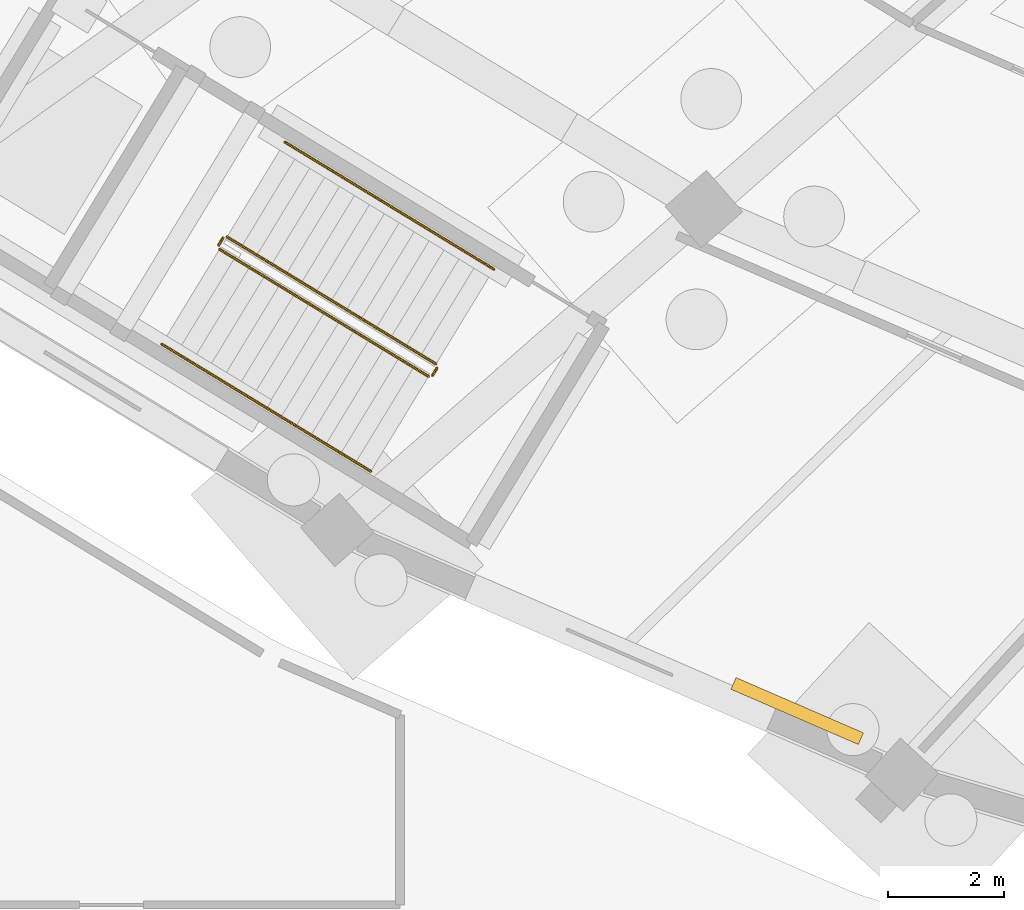
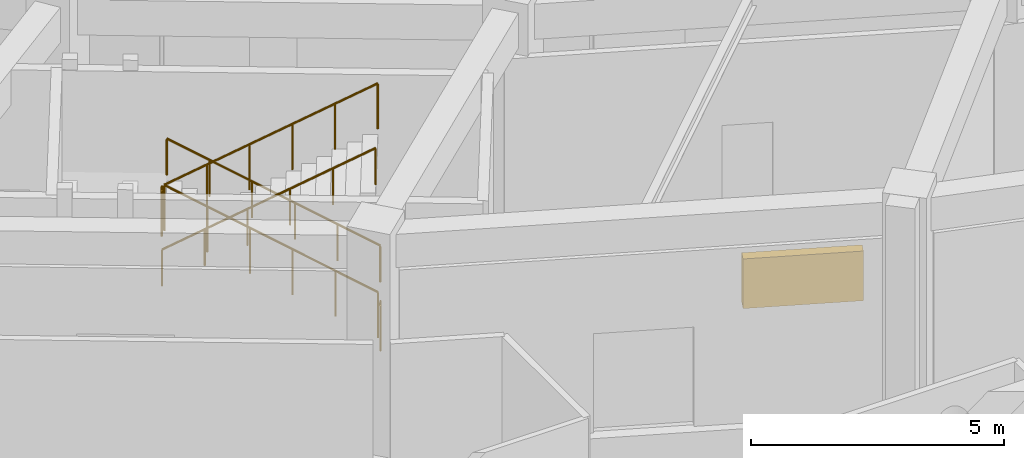
# One storey, part 68 of 88: 6 railings, 1 shading device.
"""IFC4 building model written with IfcOpenShell, lengths in metres."""

import ifcopenshell
import ifcopenshell.guid

model = None  # the IFC model being written
_history = None  # IfcOwnerHistory: only IFC2X3 demands one
_inside = {}  # id of a spatial element -> (the spatial element, [elements in it])
_under = {}  # id of a project, library or spatial element -> (it, [spatial elements below it])
_declared = {}  # id of a project -> (the project, [libraries it declares])
_typed = {}  # id of a type object -> (the type object, [elements of that type])
_made_of = {}  # id of a material, layer set ... -> (it, [elements and type objects made of it])


def new_model(schema):
    """Start an empty IFC model of exactly this schema.

    Asked for "IFC4X3", IfcOpenShell would pick the latest addendum, in which some entities
    have other attributes; the version numbers below select the first issue.
    IFC2X3 requires an IfcOwnerHistory on every rooted entity: one is made here for all.
    """
    global model, _history
    if schema == "IFC4X3":
        model = ifcopenshell.file(schema_version=(4, 3, 0, 0))
    else:
        model = ifcopenshell.file(schema=schema)
    _inside.clear()
    _under.clear()
    _declared.clear()
    _typed.clear()
    _made_of.clear()
    _history = None
    if model.schema == "IFC2X3":
        org = make("IfcOrganization", Name="unknown")
        user = make(
            "IfcPersonAndOrganization",
            ThePerson=make("IfcPerson", FamilyName="unknown"),
            TheOrganization=org,
        )
        app = make(
            "IfcApplication",
            ApplicationDeveloper=org,
            Version="unknown",
            ApplicationFullName="unknown",
            ApplicationIdentifier="unknown",
        )
        _history = make(
            "IfcOwnerHistory",
            OwningUser=user,
            OwningApplication=app,
            ChangeAction="ADDED",
            CreationDate=0,
        )
    return model


def make(cls, **values):
    """One entity of the class cls with the attributes given. An attribute that is None is left unset."""
    return model.create_entity(
        cls, **{name: value for name, value in values.items() if value is not None}
    )


def rooted(cls, **values):
    """An entity with a GlobalId (a new one), such as an element, a storey or a relation."""
    return make(cls, GlobalId=ifcopenshell.guid.new(), OwnerHistory=_history, **values)


def si_unit(unit_type, name, prefix=None):
    """IfcSIUnit, for example si_unit("LENGTHUNIT", "METRE", prefix="MILLI")."""
    return make("IfcSIUnit", UnitType=unit_type, Prefix=prefix, Name=name)


def assignment(units):
    """IfcUnitAssignment: the units of a project."""
    return None if units is None else make("IfcUnitAssignment", Units=units)


def point(xyz):
    """IfcCartesianPoint."""
    return None if xyz is None else make("IfcCartesianPoint", Coordinates=xyz)


def direction(xyz):
    """IfcDirection."""
    return None if xyz is None else make("IfcDirection", DirectionRatios=xyz)


def frame(location, z_axis=None, x_axis=None):
    """IfcAxis2Placement3D, a coordinate frame: its origin and axes. An axis left out is left unset."""
    return make(
        "IfcAxis2Placement3D",
        Location=point(location),
        Axis=direction(z_axis),
        RefDirection=direction(x_axis),
    )


def frame_2d(location, x_axis=None):
    """IfcAxis2Placement2D, a coordinate frame in the plane: its origin and x axis."""
    return make(
        "IfcAxis2Placement2D", Location=point(location), RefDirection=direction(x_axis)
    )


def origin():
    """The frame at (0, 0, 0) with its axes left unset."""
    return frame((0.0, 0.0, 0.0))


def origin_2d():
    """The frame at (0, 0) in the plane with its x axis left unset."""
    return frame_2d((0.0, 0.0))


def place(relative_to, where):
    """IfcLocalPlacement: puts the frame where relative to a parent placement (None: the world)."""
    return make(
        "IfcLocalPlacement", PlacementRelTo=relative_to, RelativePlacement=where
    )


def context(
    kind, dimensions, precision=None, world=None, true_north=None, identifier=None
):
    """IfcGeometricRepresentationContext, for example the 3D "Model" context."""
    return make(
        "IfcGeometricRepresentationContext",
        ContextIdentifier=identifier,
        ContextType=kind,
        CoordinateSpaceDimension=dimensions,
        Precision=precision,
        WorldCoordinateSystem=world,
        TrueNorth=true_north,
    )


def subcontext(parent, identifier, kind, view, scale=None):
    """IfcGeometricRepresentationSubContext, for example "Body" below "Model"."""
    return make(
        "IfcGeometricRepresentationSubContext",
        ContextIdentifier=identifier,
        ContextType=kind,
        ParentContext=parent,
        TargetScale=scale,
        TargetView=view,
    )


def project(units=None, contexts=None):
    """IfcProject with its units and contexts."""
    return rooted(
        "IfcProject",
        Name="project",
        RepresentationContexts=contexts,
        UnitsInContext=assignment(units),
    )


def spatial(cls, under=None, at=None, **own):
    """A site, building, storey or space (cls), placed at a placement, below another one or the project."""
    s = rooted(cls, ObjectPlacement=at, **own)
    if under is not None:
        _under.setdefault(under.id(), (under, []))[1].append(s)
    return s


def profile(cls, at=None, kind="AREA", **sizes):
    """A parametric profile (cls). Its sizes go by their IFC names, for example OverallWidth=200.0."""
    return make(cls, ProfileType=kind, Position=at, **sizes)


def rectangle(**sizes):
    """IfcRectangleProfileDef."""
    return profile("IfcRectangleProfileDef", **sizes)


def circle(**sizes):
    """IfcCircleProfileDef."""
    return profile("IfcCircleProfileDef", **sizes)


def extrude(swept, where, along, depth):
    """IfcExtrudedAreaSolid: the profile swept, set in the frame where, extruded along a direction by depth."""
    return make(
        "IfcExtrudedAreaSolid",
        SweptArea=swept,
        Position=where,
        ExtrudedDirection=direction(along),
        Depth=depth,
    )


def shape(context_of_items, identifier, shape_type, items):
    """IfcShapeRepresentation: the items that make up one representation, for example the "Body"."""
    return make(
        "IfcShapeRepresentation",
        ContextOfItems=context_of_items,
        RepresentationIdentifier=identifier,
        RepresentationType=shape_type,
        Items=items,
    )


def material(Name=None, Category=None):
    """IfcMaterial."""
    return make("IfcMaterial", Name=Name, Category=Category)


def made_of(thing, what):
    """Note that an element or type object is made of a material, layer set ...; save() writes the relation."""
    if what is not None:
        _made_of.setdefault(what.id(), (what, []))[1].append(thing)
    return thing


def type_object(cls, material=None, **own):
    """A type object (cls), such as IfcWallType, which elements share."""
    return made_of(rooted(cls, **own), material)


def element(
    cls,
    number,
    at=None,
    inside=None,
    cuts=None,
    type_object=None,
    material=None,
    context=None,
    identifier="Body",
    shape_type=None,
    held_by="IfcProductDefinitionShape",
    body=None,
    shapes=None,
    **own,
):
    """One element of the class cls, such as IfcWall. Its Tag is "e" and its number.

    at: its placement. inside: the storey or other place that contains it. cuts: it is an
    opening in that element (IfcRelVoidsElement). A single representation is given by context,
    identifier, shape_type and body (its items); several are given by shapes. held_by: the class
    of the entity that holds the representations. save() writes the other relations.
    """
    e = rooted(cls, Tag="e%d" % number, ObjectPlacement=at, **own)
    if body is not None:
        shapes = [shape(context, identifier, shape_type, body)]
    if shapes is not None:
        e.Representation = make(held_by, Representations=shapes)
    if inside is not None:
        _inside.setdefault(inside.id(), (inside, []))[1].append(e)
    if cuts is not None:
        rooted(
            "IfcRelVoidsElement", RelatingBuildingElement=cuts, RelatedOpeningElement=e
        )
    if type_object is not None:
        _typed.setdefault(type_object.id(), (type_object, []))[1].append(e)
    return made_of(e, material)


def aggregate(whole, parts):
    """IfcRelAggregates: a whole, such as a stair, and the parts it consists of."""
    return rooted("IfcRelAggregates", RelatingObject=whole, RelatedObjects=parts)


def save(model, path):
    """Write the relations noted so far, then the file.

    IfcRelAggregates (storeys below a building ...), IfcRelContainedInSpatialStructure (elements
    in a storey), IfcRelDefinesByType, IfcRelAssociatesMaterial and IfcRelDeclares: one each for
    every whole, place, type object, material and project.
    """
    for whole, parts in _under.values():
        aggregate(whole, parts)
    for where, things in _inside.values():
        rooted(
            "IfcRelContainedInSpatialStructure",
            RelatedElements=things,
            RelatingStructure=where,
        )
    for kind, things in _typed.values():
        rooted("IfcRelDefinesByType", RelatedObjects=things, RelatingType=kind)
    for what, things in _made_of.values():
        rooted("IfcRelAssociatesMaterial", RelatedObjects=things, RelatingMaterial=what)
    for by, libraries in _declared.values():
        rooted("IfcRelDeclares", RelatingContext=by, RelatedDefinitions=libraries)
    model.write(path)


model = new_model("IFC4")

# Units and contexts
model_context = context("Model", 3, precision=1e-05, world=origin(), true_north=direction((0.0, 1.0)))
body_context = subcontext(model_context, "Body", "Model", "MODEL_VIEW")
ifc_project = project(units=[si_unit("LENGTHUNIT", "METRE"), si_unit("AREAUNIT", "SQUARE_METRE"), si_unit("VOLUMEUNIT", "CUBIC_METRE"), si_unit("PLANEANGLEUNIT", "RADIAN"), si_unit("MASSUNIT", "GRAM", prefix="KILO")], contexts=[model_context])

# Site, building, storey
site_placement = place(None, origin())
site = spatial("IfcSite", under=ifc_project, at=site_placement, CompositionType="ELEMENT")
building_placement = place(site_placement, origin())
building = spatial("IfcBuilding", under=site, at=building_placement, Name="Mphavela Belvedere Stadium", CompositionType="ELEMENT")
storey_placement = place(building_placement, origin())
storey = spatial("IfcBuildingStorey", under=building, at=storey_placement, Name="L00", CompositionType="ELEMENT", Elevation=0.0)

# Railings
ifc_material_1 = material(Name="Painted galvanised steel stair guardrail", Category="steel")
railing_type_1 = type_object("IfcRailingType", Name="RAL-GUARD-1120", PredefinedType="GUARDRAIL", material=ifc_material_1)
railing_1_placement = place(storey_placement, frame((46.01171875, 28.00634765625, 0.179931640625)))
element("IfcRailing", 1, at=railing_1_placement, inside=storey, type_object=railing_type_1, Name="L00 ST-C10 stair guard 1", PredefinedType="GUARDRAIL", context=body_context, shape_type="SweptSolid", body=[
    extrude(circle(Radius=0.02392578125, at=origin_2d()), frame((0.0, 0.0, 1.09619140625), z_axis=(-0.733892728669, 0.446406769264, 0.511978963593), x_axis=(-0.519683138111, -0.854359079055, 0.0)), (0.0, 0.0, 1.0), 4.922119140625),
    extrude(circle(Radius=0.02099609375, at=origin_2d()), origin(), (0.0, 0.0, 1.0), 1.072021484375),
    extrude(circle(Radius=0.02099609375, at=origin_2d()), frame((-0.722412109375, 0.439453125, 0.50390625)), (0.0, 0.0, 1.0), 1.072021484375),
    extrude(circle(Radius=0.02099609375, at=origin_2d()), frame((-1.44482421875, 0.87890625, 1.008056640625)), (0.0, 0.0, 1.0), 1.072021484375),
    extrude(circle(Radius=0.02099609375, at=origin_2d()), frame((-2.16748046875, 1.318359375, 1.511962890625)), (0.0, 0.0, 1.0), 1.072021484375),
    extrude(circle(Radius=0.02099609375, at=origin_2d()), frame((-2.889892578125, 1.7578125, 2.01611328125)), (0.0, 0.0, 1.0), 1.072021484375),
    extrude(circle(Radius=0.02099609375, at=origin_2d()), frame((-3.6123046875, 2.197265625, 2.52001953125)), (0.0, 0.0, 1.0), 1.072021484375),
])
railing_2_placement = place(storey_placement, frame((42.330810546875, 30.186767578125, 2.699951171875)))
element("IfcRailing", 2, at=railing_2_placement, inside=storey, type_object=railing_type_1, Name="L00 ST-C10 stair guard 2", PredefinedType="GUARDRAIL", context=body_context, shape_type="SweptSolid", body=[
    extrude(circle(Radius=0.02392578125, at=origin_2d()), frame((0.0, 0.0, 1.09619140625), z_axis=(-0.51927544977, -0.85460693144, 0.0), x_axis=(0.85460693144, -0.51927544977, 0.0)), (0.0, 0.0, 1.0), 0.14990234375),
    extrude(circle(Radius=0.02099609375, at=origin_2d()), origin(), (0.0, 0.0, 1.0), 1.072021484375),
    extrude(circle(Radius=0.02099609375, at=origin_2d()), frame((-0.077880859375, -0.128173828125, 0.0)), (0.0, 0.0, 1.0), 1.072021484375),
])
railing_3_placement = place(storey_placement, frame((42.26953125, 29.989990234375, 2.8798828125)))
element("IfcRailing", 3, at=railing_3_placement, inside=storey, type_object=railing_type_1, Name="L00 ST-C10 stair guard 3", PredefinedType="GUARDRAIL", context=body_context, shape_type="SweptSolid", body=[
    extrude(circle(Radius=0.02392578125, at=origin_2d()), frame((0.0, 0.0, 1.09619140625), z_axis=(0.733892728669, -0.446406769264, 0.511978963593), x_axis=(0.519683138111, 0.854359079055, 0.0)), (0.0, 0.0, 1.0), 4.922119140625),
    extrude(circle(Radius=0.02099609375, at=origin_2d()), origin(), (0.0, 0.0, 1.0), 1.072021484375),
    extrude(circle(Radius=0.02099609375, at=origin_2d()), frame((0.722412109375, -0.439453125, 0.50390625)), (0.0, 0.0, 1.0), 1.072021484375),
    extrude(circle(Radius=0.02099609375, at=origin_2d()), frame((1.44482421875, -0.87890625, 1.008056640625)), (0.0, 0.0, 1.0), 1.072021484375),
    extrude(circle(Radius=0.02099609375, at=origin_2d()), frame((2.16748046875, -1.318359375, 1.511962890625)), (0.0, 0.0, 1.0), 1.072021484375),
    extrude(circle(Radius=0.02099609375, at=origin_2d()), frame((2.889892578125, -1.7578125, 2.01611328125)), (0.0, 0.0, 1.0), 1.072021484375),
    extrude(circle(Radius=0.02099609375, at=origin_2d()), frame((3.6123046875, -2.197265625, 2.52001953125)), (0.0, 0.0, 1.0), 1.072021484375),
])
railing_4_placement = place(storey_placement, frame((46.028564453125, 27.937744140625, 0.0)))
element("IfcRailing", 4, at=railing_4_placement, inside=storey, type_object=railing_type_1, Name="L00 ST-C10 stair guard 4", PredefinedType="GUARDRAIL", context=body_context, shape_type="SweptSolid", body=[
    extrude(circle(Radius=0.02392578125, at=origin_2d()), frame((0.0, 0.0, 1.09619140625), z_axis=(-0.520462828118, -0.853884327381, 0.0), x_axis=(0.853884327381, -0.520462828118, 0.0)), (0.0, 0.0, 1.0), 0.150146484375),
    extrude(circle(Radius=0.02099609375, at=origin_2d()), origin(), (0.0, 0.0, 1.0), 1.072021484375),
    extrude(circle(Radius=0.02099609375, at=origin_2d()), frame((-0.078125, -0.128173828125, 0.0)), (0.0, 0.0, 1.0), 1.072021484375),
])
ifc_material_2 = material(Name="Brushed stainless steel tubular handrail", Category="steel")
railing_type_2 = type_object("IfcRailingType", Name="RAL-HANDRAIL-900", PredefinedType="HANDRAIL", material=ifc_material_2)
railing_5_placement = place(storey_placement, frame((47.009521484375, 29.646728515625, 0.179931640625)))
element("IfcRailing", 5, at=railing_5_placement, inside=storey, type_object=railing_type_2, Name="L00 ST-C10 stair handrail 1", PredefinedType="HANDRAIL", context=body_context, shape_type="SweptSolid", body=[
    extrude(circle(Radius=0.02392578125, at=origin_2d()), frame((0.0, 0.0, 0.8759765625), z_axis=(-0.733892728669, 0.446406769264, 0.511978963593), x_axis=(-0.519683138111, -0.854359079055, 0.0)), (0.0, 0.0, 1.0), 4.922119140625),
    extrude(circle(Radius=0.02099609375, at=origin_2d()), origin(), (0.0, 0.0, 1.0), 0.851806640625),
    extrude(circle(Radius=0.02099609375, at=origin_2d()), frame((-0.722412109375, 0.439453125, 0.50390625)), (0.0, 0.0, 1.0), 0.851806640625),
    extrude(circle(Radius=0.02099609375, at=origin_2d()), frame((-1.44482421875, 0.87890625, 1.008056640625)), (0.0, 0.0, 1.0), 0.851806640625),
    extrude(circle(Radius=0.02099609375, at=origin_2d()), frame((-2.16748046875, 1.318359375, 1.511962890625)), (0.0, 0.0, 1.0), 0.851806640625),
    extrude(circle(Radius=0.02099609375, at=origin_2d()), frame((-2.889892578125, 1.7578125, 2.01611328125)), (0.0, 0.0, 1.0), 0.851806640625),
    extrude(circle(Radius=0.02099609375, at=origin_2d()), frame((-3.6123046875, 2.197265625, 2.52001953125)), (0.0, 0.0, 1.0), 0.851806640625),
])
railing_6_placement = place(storey_placement, frame((41.271728515625, 28.349609375, 2.8798828125)))
element("IfcRailing", 6, at=railing_6_placement, inside=storey, type_object=railing_type_2, Name="L00 ST-C10 stair handrail 2", PredefinedType="HANDRAIL", context=body_context, shape_type="SweptSolid", body=[
    extrude(circle(Radius=0.02392578125, at=origin_2d()), frame((0.0, 0.0, 0.8759765625), z_axis=(0.733892728669, -0.446406769264, 0.511978963593), x_axis=(0.519683138111, 0.854359079055, 0.0)), (0.0, 0.0, 1.0), 4.922119140625),
    extrude(circle(Radius=0.02099609375, at=origin_2d()), origin(), (0.0, 0.0, 1.0), 0.851806640625),
    extrude(circle(Radius=0.02099609375, at=origin_2d()), frame((0.722412109375, -0.439453125, 0.50390625)), (0.0, 0.0, 1.0), 0.851806640625),
    extrude(circle(Radius=0.02099609375, at=origin_2d()), frame((1.44482421875, -0.87890625, 1.008056640625)), (0.0, 0.0, 1.0), 0.851806640625),
    extrude(circle(Radius=0.02099609375, at=origin_2d()), frame((2.16748046875, -1.318359375, 1.511962890625)), (0.0, 0.0, 1.0), 0.851806640625),
    extrude(circle(Radius=0.02099609375, at=origin_2d()), frame((2.889892578125, -1.7578125, 2.01611328125)), (0.0, 0.0, 1.0), 0.851806640625),
    extrude(circle(Radius=0.02099609375, at=origin_2d()), frame((3.6123046875, -2.197265625, 2.52001953125)), (0.0, 0.0, 1.0), 0.851806640625),
])

# Shading device
ifc_material_3 = material(Name="Anodised bronze acoustic ventilation louvre")
shading_device_type = type_object("IfcShadingDeviceType", Name="SHD-LOUVRE-BRZ", PredefinedType="JALOUSIE", material=ifc_material_3)
shading_device_placement = place(storey_placement, frame((52.2529296875, 22.00927734375, 2.5), z_axis=(0.0, 0.0, 1.0), x_axis=(-0.917477140523, 0.397788507398, 0.0)))
element("IfcShadingDevice", 7, at=shading_device_placement, inside=storey, type_object=shading_device_type, Name="Concourse plant ventilation louvre LV-11", PredefinedType="JALOUSIE", context=body_context, shape_type="SweptSolid", body=[
    extrude(rectangle(XDim=2.39990234375, YDim=0.219970703125, at=origin_2d()), origin(), (0.0, 0.0, 1.0), 1.199951171875),
])

save(model, "model.ifc")
